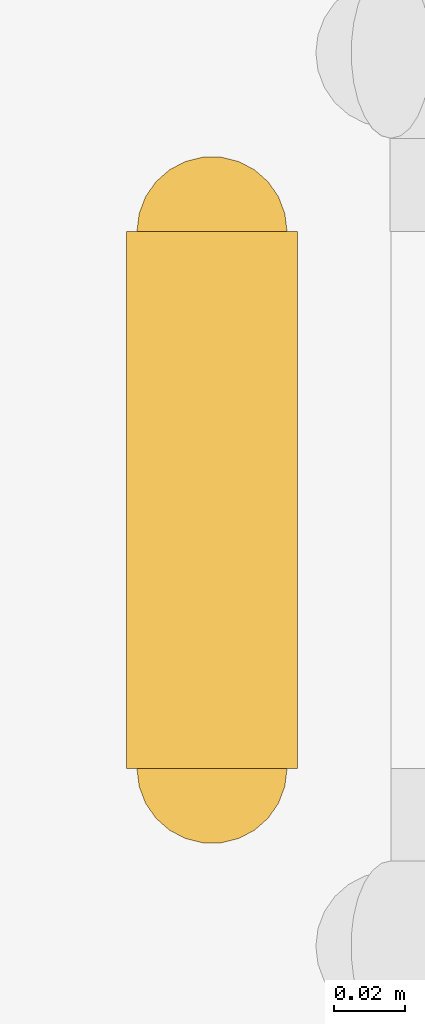
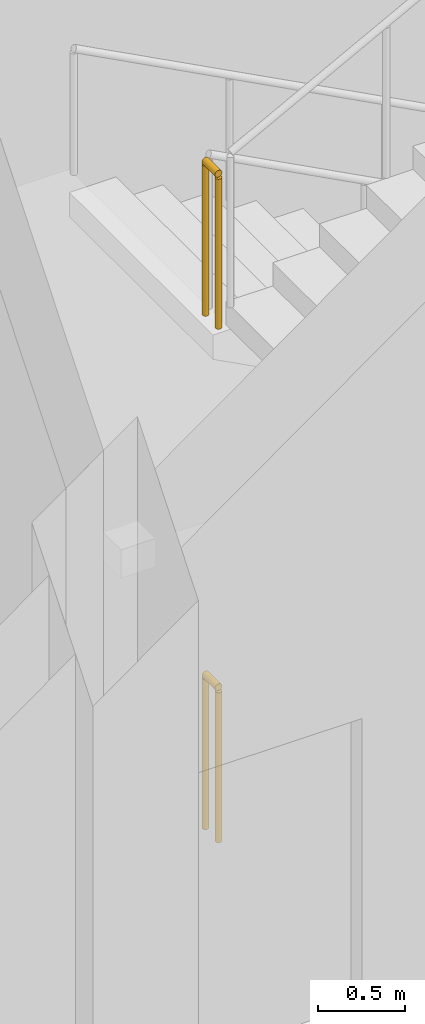
# One storey, part 25 of 30: 2 railings.
"""IFC4 building model written with IfcOpenShell, lengths in metres."""

from ifc_helpers import new_model, si_unit, direction, frame, origin, origin_2d, place, context, subcontext, project, spatial, circle, extrude, material, type_object, element, save


model = new_model("IFC4")

# Units and contexts
model_context = context("Model", 3, precision=1e-05, world=origin(), true_north=direction((0.0, 1.0)))
body_context = subcontext(model_context, "Body", "Model", "MODEL_VIEW")
ifc_project = project(units=[si_unit("LENGTHUNIT", "METRE"), si_unit("AREAUNIT", "SQUARE_METRE"), si_unit("VOLUMEUNIT", "CUBIC_METRE"), si_unit("PLANEANGLEUNIT", "RADIAN"), si_unit("MASSUNIT", "GRAM", prefix="KILO")], contexts=[model_context])

# Site, building, storey
site_placement = place(None, origin())
site = spatial("IfcSite", under=ifc_project, at=site_placement, CompositionType="ELEMENT")
building_placement = place(site_placement, origin())
building = spatial("IfcBuilding", under=site, at=building_placement, Name="Corbel Stack Research Tower", CompositionType="ELEMENT")
storey_placement = place(building_placement, origin())
storey = spatial("IfcBuildingStorey", under=building, at=storey_placement, Name="L00", CompositionType="ELEMENT", Elevation=0.0)

# Railings
ifc_material = material(Name="Steel S235", Category="steel")
railing_type = type_object("IfcRailingType", Name="HR1 guard 1100", PredefinedType="GUARDRAIL", material=ifc_material)
for number, where, name in (
    (1, (95.425048828125, -21.85009765625, 3.60009765625), "L00 HS3 stair guard 4"),
    (2, (95.425048828125, -21.85009765625, 0.0), "L00 HS3 stair guard 8"),
):
    element("IfcRailing", number, at=place(storey_placement, frame(where)), inside=storey, type_object=railing_type, Name=name, PredefinedType="GUARDRAIL", context=body_context, shape_type="SweptSolid", body=[
        extrude(circle(Radius=0.02392578125, at=origin_2d()), frame((0.0, 0.0, 1.076171875), z_axis=(0.0, 1.0, 0.0), x_axis=(-1.0, 0.0, 0.0)), (0.0, 0.0, 1.0), 0.150146484375),
        extrude(circle(Radius=0.02099609375, at=origin_2d()), origin(), (0.0, 0.0, 1.0), 1.052001953125),
        extrude(circle(Radius=0.02099609375, at=origin_2d()), frame((0.0, 0.150146484375, 0.0)), (0.0, 0.0, 1.0), 1.052001953125),
    ])

save(model, "model.ifc")
